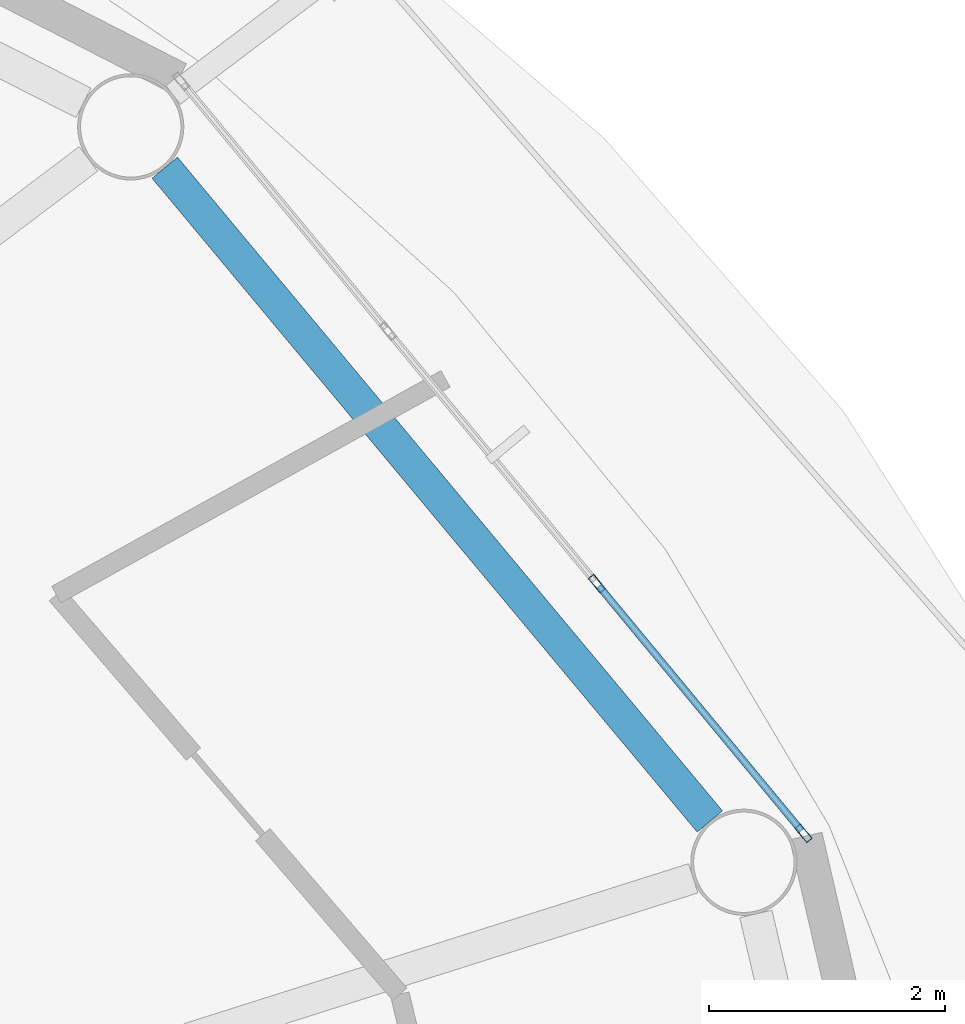
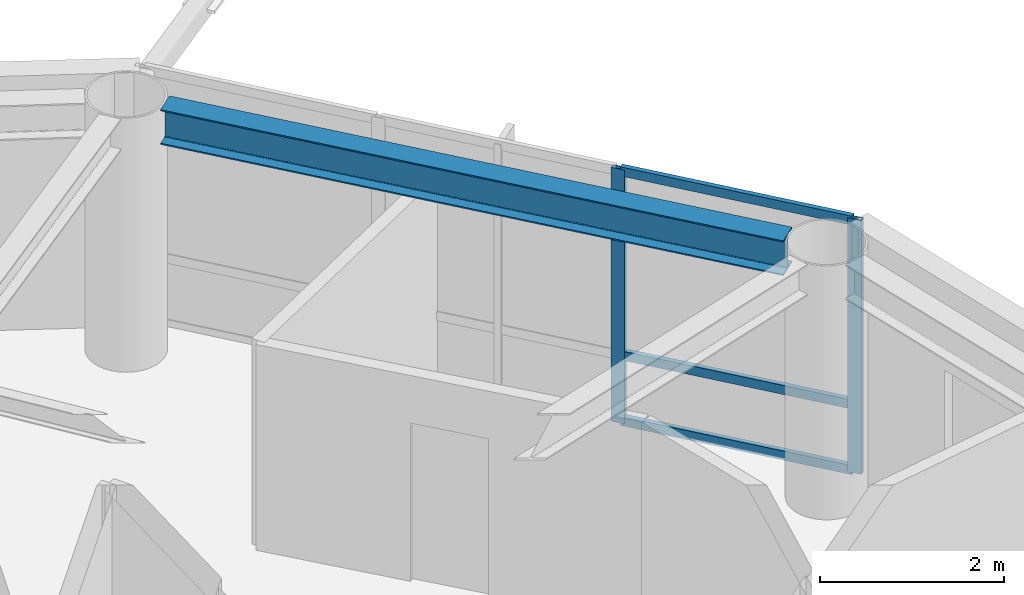
# One storey, part 7 of 22: 5 members, 1 beam, 1 element without a shape of its own.
"""IFC4 building model written with IfcOpenShell, lengths in metres."""

from ifc_helpers import new_model, si_unit, direction, frame, origin, origin_2d, place, context, subcontext, project, spatial, hollow_rectangle, i_section, extrude, material, layer, layer_set, material_profile, profile_set, type_object, element, aggregate, save


model = new_model("IFC4")

# Units and contexts
model_context = context("Model", 3, precision=1e-05, world=origin(), true_north=direction((0.0, 1.0)))
body_context = subcontext(model_context, "Body", "Model", "MODEL_VIEW")
ifc_project = project(units=[si_unit("LENGTHUNIT", "METRE"), si_unit("AREAUNIT", "SQUARE_METRE"), si_unit("VOLUMEUNIT", "CUBIC_METRE"), si_unit("PLANEANGLEUNIT", "RADIAN"), si_unit("MASSUNIT", "GRAM", prefix="KILO")], contexts=[model_context])

# Site, building, storey
site_placement = place(None, origin())
site = spatial("IfcSite", under=ifc_project, at=site_placement, CompositionType="ELEMENT")
building_placement = place(site_placement, origin())
building = spatial("IfcBuilding", under=site, at=building_placement, Name="Sarneth Arch Tower", CompositionType="ELEMENT")
storey_placement = place(building_placement, frame((0.0, 0.0, 298.199951171875)))
storey = spatial("IfcBuildingStorey", under=building, at=storey_placement, Name="L77", CompositionType="ELEMENT", Elevation=298.199951171875)

# Beam
ifc_material_1 = material(Name="Steel S355", Category="steel")
ifc_material_profile_1 = material_profile(ifc_material_1, i_section(OverallWidth=0.280029296875, OverallDepth=0.462890625, WebThickness=0.0107421875, FlangeThickness=0.017333984375, FilletRadius=0.01806640625, at=origin_2d()), Name="W460x113")
ifc_profile_set_1 = profile_set([ifc_material_profile_1], Name="Steel S355")
beam_type = type_object("IfcBeamType", Name="BM-RAD-460A", PredefinedType="BEAM", material=ifc_profile_set_1)
beam_placement = place(storey_placement, frame((70.880615234375, 49.693115234375, 3.138427734375), z_axis=(-0.640390876881, 0.768049168222, 0.0), x_axis=(-0.768049168222, -0.640390876881, 0.0)))
element("IfcBeam", 1, at=beam_placement, inside=storey, type_object=beam_type, Name="L77 Perimeter spandrel beam 02", PredefinedType="BEAM", context=body_context, shape_type="SweptSolid", body=[
    extrude(i_section(OverallWidth=0.280029296875, OverallDepth=0.462890625, WebThickness=0.0107421875, FlangeThickness=0.017333984375, FilletRadius=0.01806640625, at=origin_2d()), origin(), (0.0, 0.0, 1.0), 7.2099609375),
])

# Curtain wall, members
ifc_material_2 = material(Name="Anodised aluminium Type AA25 and solar-control low-e laminated IGU", Category="aluminium")
ifc_layer = layer(ifc_material_2, 0.179931640625)
ifc_layer_set = layer_set([ifc_layer], Name="Anodised aluminium Type AA25 and solar-control low-e laminated IGU")
curtain_wall_type = type_object("IfcCurtainWallType", Name="CW-RES-HIGH", PredefinedType="NOTDEFINED", material=ifc_layer_set)
curtain_wall_placement = place(storey_placement, origin())
curtain_wall = element("IfcCurtainWall", 2, at=curtain_wall_placement, inside=storey, type_object=curtain_wall_type, Name="L77 Unitised curtain wall facet 02", PredefinedType="NOTDEFINED")
ifc_material_3 = material(Name="Anodised Aluminium 6063-T6", Category="aluminium")
ifc_material_profile_2 = material_profile(ifc_material_3, hollow_rectangle(XDim=0.06005859375, YDim=0.159912109375, WallThickness=0.00390625, at=origin_2d()), Name="AL-MULL-160x60x4")
ifc_profile_set_2 = profile_set([ifc_material_profile_2], Name="Anodised Aluminium 6063-T6")
member_type_1 = type_object("IfcMemberType", Name="CW-MULLION", PredefinedType="MULLION", material=ifc_profile_set_2)
member_1_placement = place(storey_placement, frame((71.674560546875, 49.592529296875, 0.0), z_axis=(0.0, 0.0, 1.0), x_axis=(-0.770359245933, -0.637610094184, 0.0)))
member_1 = element("IfcMember", 3, at=member_1_placement, type_object=member_type_1, Name="CW-SYS-6 mullion 1", PredefinedType="MULLION", context=body_context, shape_type="SweptSolid", body=[
    extrude(hollow_rectangle(XDim=0.06005859375, YDim=0.159912109375, WallThickness=0.00390625, at=origin_2d()), origin(), (0.0, 0.0, 1.0), 3.3701171875),
])
member_2_placement = place(storey_placement, frame((69.92333984375, 51.70849609375, 0.0), z_axis=(0.0, 0.0, 1.0), x_axis=(-0.770359245933, -0.637610094184, 0.0)))
member_2 = element("IfcMember", 4, at=member_2_placement, type_object=member_type_1, Name="CW-SYS-6 mullion 2", PredefinedType="MULLION", context=body_context, shape_type="SweptSolid", body=[
    extrude(hollow_rectangle(XDim=0.06005859375, YDim=0.159912109375, WallThickness=0.00390625, at=origin_2d()), origin(), (0.0, 0.0, 1.0), 3.3701171875),
])
ifc_material_4 = material(Name="Anodised Aluminium 6063-T6", Category="aluminium")
ifc_material_profile_3 = material_profile(ifc_material_4, hollow_rectangle(XDim=0.06005859375, YDim=0.1201171875, WallThickness=0.00390625, at=origin_2d()), Name="AL-TRAN-120x60x4")
ifc_profile_set_3 = profile_set([ifc_material_profile_3], Name="Anodised Aluminium 6063-T6")
member_type_2 = type_object("IfcMemberType", Name="CW-TRANSOM", PredefinedType="USERDEFINED", material=ifc_profile_set_3)
member_3_placement = place(storey_placement, frame((71.655517578125, 49.61572265625, 0.030029296875), z_axis=(-0.637651400067, 0.770325056059, 0.0), x_axis=(-0.770325056059, -0.637651400067, 0.0)))
member_3 = element("IfcMember", 5, at=member_3_placement, type_object=member_type_2, Name="CW-SYS-6 transom 1.1", ObjectType="TRANSOM", PredefinedType="USERDEFINED", context=body_context, shape_type="SweptSolid", body=[
    extrude(hollow_rectangle(XDim=0.06005859375, YDim=0.1201171875, WallThickness=0.00390625, at=origin_2d()), origin(), (0.0, 0.0, 1.0), 2.6865234375),
])
member_4_placement = place(storey_placement, frame((71.655517578125, 49.61572265625, 0.900146484375), z_axis=(-0.637651400067, 0.770325056059, 0.0), x_axis=(-0.770325056059, -0.637651400067, 0.0)))
member_4 = element("IfcMember", 6, at=member_4_placement, type_object=member_type_2, Name="CW-SYS-6 transom 1.2", ObjectType="TRANSOM", PredefinedType="USERDEFINED", context=body_context, shape_type="SweptSolid", body=[
    extrude(hollow_rectangle(XDim=0.06005859375, YDim=0.1201171875, WallThickness=0.00390625, at=origin_2d()), origin(), (0.0, 0.0, 1.0), 2.6865234375),
])
member_5_placement = place(storey_placement, frame((71.655517578125, 49.61572265625, 3.340087890625), z_axis=(-0.637651400067, 0.770325056059, 0.0), x_axis=(-0.770325056059, -0.637651400067, 0.0)))
member_5 = element("IfcMember", 7, at=member_5_placement, type_object=member_type_2, Name="CW-SYS-6 transom 1.3", ObjectType="TRANSOM", PredefinedType="USERDEFINED", context=body_context, shape_type="SweptSolid", body=[
    extrude(hollow_rectangle(XDim=0.06005859375, YDim=0.1201171875, WallThickness=0.00390625, at=origin_2d()), origin(), (0.0, 0.0, 1.0), 2.6865234375),
])
aggregate(curtain_wall, [member_1, member_2, member_3, member_4, member_5])

save(model, "model.ifc")
